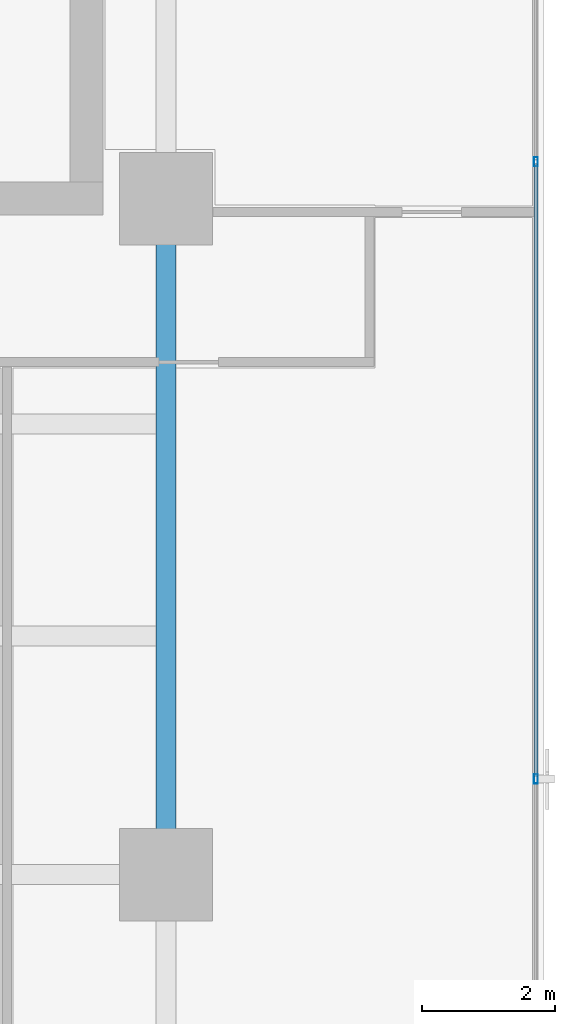
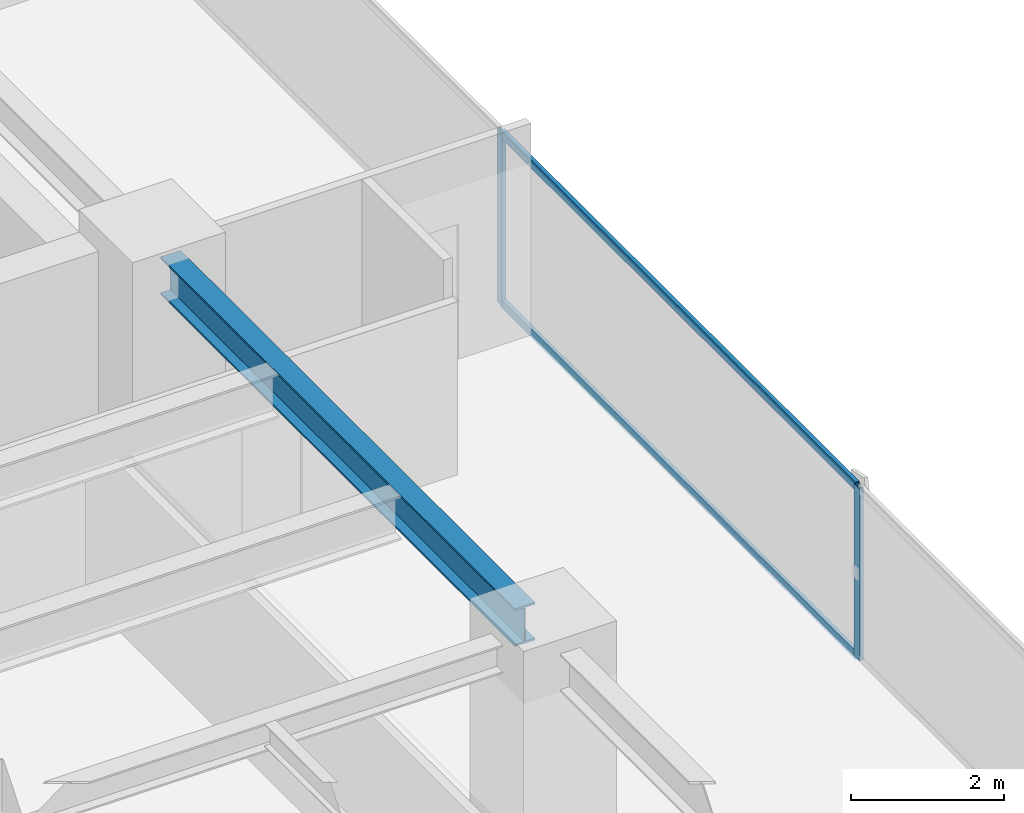
# One storey, part 13 of 26: 4 members, 1 beam, 1 element without a shape of its own.
"""IFC4 building model written with IfcOpenShell, lengths in metres."""

import ifcopenshell
import ifcopenshell.guid

model = None  # the IFC model being written
_history = None  # IfcOwnerHistory: only IFC2X3 demands one
_inside = {}  # id of a spatial element -> (the spatial element, [elements in it])
_under = {}  # id of a project, library or spatial element -> (it, [spatial elements below it])
_declared = {}  # id of a project -> (the project, [libraries it declares])
_typed = {}  # id of a type object -> (the type object, [elements of that type])
_made_of = {}  # id of a material, layer set ... -> (it, [elements and type objects made of it])


def new_model(schema):
    """Start an empty IFC model of exactly this schema.

    Asked for "IFC4X3", IfcOpenShell would pick the latest addendum, in which some entities
    have other attributes; the version numbers below select the first issue.
    IFC2X3 requires an IfcOwnerHistory on every rooted entity: one is made here for all.
    """
    global model, _history
    if schema == "IFC4X3":
        model = ifcopenshell.file(schema_version=(4, 3, 0, 0))
    else:
        model = ifcopenshell.file(schema=schema)
    _inside.clear()
    _under.clear()
    _declared.clear()
    _typed.clear()
    _made_of.clear()
    _history = None
    if model.schema == "IFC2X3":
        org = make("IfcOrganization", Name="unknown")
        user = make(
            "IfcPersonAndOrganization",
            ThePerson=make("IfcPerson", FamilyName="unknown"),
            TheOrganization=org,
        )
        app = make(
            "IfcApplication",
            ApplicationDeveloper=org,
            Version="unknown",
            ApplicationFullName="unknown",
            ApplicationIdentifier="unknown",
        )
        _history = make(
            "IfcOwnerHistory",
            OwningUser=user,
            OwningApplication=app,
            ChangeAction="ADDED",
            CreationDate=0,
        )
    return model


def make(cls, **values):
    """One entity of the class cls with the attributes given. An attribute that is None is left unset."""
    return model.create_entity(
        cls, **{name: value for name, value in values.items() if value is not None}
    )


def rooted(cls, **values):
    """An entity with a GlobalId (a new one), such as an element, a storey or a relation."""
    return make(cls, GlobalId=ifcopenshell.guid.new(), OwnerHistory=_history, **values)


def si_unit(unit_type, name, prefix=None):
    """IfcSIUnit, for example si_unit("LENGTHUNIT", "METRE", prefix="MILLI")."""
    return make("IfcSIUnit", UnitType=unit_type, Prefix=prefix, Name=name)


def assignment(units):
    """IfcUnitAssignment: the units of a project."""
    return None if units is None else make("IfcUnitAssignment", Units=units)


def point(xyz):
    """IfcCartesianPoint."""
    return None if xyz is None else make("IfcCartesianPoint", Coordinates=xyz)


def direction(xyz):
    """IfcDirection."""
    return None if xyz is None else make("IfcDirection", DirectionRatios=xyz)


def frame(location, z_axis=None, x_axis=None):
    """IfcAxis2Placement3D, a coordinate frame: its origin and axes. An axis left out is left unset."""
    return make(
        "IfcAxis2Placement3D",
        Location=point(location),
        Axis=direction(z_axis),
        RefDirection=direction(x_axis),
    )


def frame_2d(location, x_axis=None):
    """IfcAxis2Placement2D, a coordinate frame in the plane: its origin and x axis."""
    return make(
        "IfcAxis2Placement2D", Location=point(location), RefDirection=direction(x_axis)
    )


def origin():
    """The frame at (0, 0, 0) with its axes left unset."""
    return frame((0.0, 0.0, 0.0))


def origin_2d():
    """The frame at (0, 0) in the plane with its x axis left unset."""
    return frame_2d((0.0, 0.0))


def place(relative_to, where):
    """IfcLocalPlacement: puts the frame where relative to a parent placement (None: the world)."""
    return make(
        "IfcLocalPlacement", PlacementRelTo=relative_to, RelativePlacement=where
    )


def context(
    kind, dimensions, precision=None, world=None, true_north=None, identifier=None
):
    """IfcGeometricRepresentationContext, for example the 3D "Model" context."""
    return make(
        "IfcGeometricRepresentationContext",
        ContextIdentifier=identifier,
        ContextType=kind,
        CoordinateSpaceDimension=dimensions,
        Precision=precision,
        WorldCoordinateSystem=world,
        TrueNorth=true_north,
    )


def subcontext(parent, identifier, kind, view, scale=None):
    """IfcGeometricRepresentationSubContext, for example "Body" below "Model"."""
    return make(
        "IfcGeometricRepresentationSubContext",
        ContextIdentifier=identifier,
        ContextType=kind,
        ParentContext=parent,
        TargetScale=scale,
        TargetView=view,
    )


def project(units=None, contexts=None):
    """IfcProject with its units and contexts."""
    return rooted(
        "IfcProject",
        Name="project",
        RepresentationContexts=contexts,
        UnitsInContext=assignment(units),
    )


def spatial(cls, under=None, at=None, **own):
    """A site, building, storey or space (cls), placed at a placement, below another one or the project."""
    s = rooted(cls, ObjectPlacement=at, **own)
    if under is not None:
        _under.setdefault(under.id(), (under, []))[1].append(s)
    return s


def profile(cls, at=None, kind="AREA", **sizes):
    """A parametric profile (cls). Its sizes go by their IFC names, for example OverallWidth=200.0."""
    return make(cls, ProfileType=kind, Position=at, **sizes)


def hollow_rectangle(**sizes):
    """IfcRectangleHollowProfileDef."""
    return profile("IfcRectangleHollowProfileDef", **sizes)


def i_section(**sizes):
    """IfcIShapeProfileDef."""
    return profile("IfcIShapeProfileDef", **sizes)


def extrude(swept, where, along, depth):
    """IfcExtrudedAreaSolid: the profile swept, set in the frame where, extruded along a direction by depth."""
    return make(
        "IfcExtrudedAreaSolid",
        SweptArea=swept,
        Position=where,
        ExtrudedDirection=direction(along),
        Depth=depth,
    )


def shape(context_of_items, identifier, shape_type, items):
    """IfcShapeRepresentation: the items that make up one representation, for example the "Body"."""
    return make(
        "IfcShapeRepresentation",
        ContextOfItems=context_of_items,
        RepresentationIdentifier=identifier,
        RepresentationType=shape_type,
        Items=items,
    )


def source(mapping_origin, context_of_items, identifier, shape_type, items):
    """IfcRepresentationMap: a shape defined once, which mapped items show again and again."""
    return make(
        "IfcRepresentationMap",
        MappingOrigin=mapping_origin,
        MappedRepresentation=shape(context_of_items, identifier, shape_type, items),
    )


def transform(
    local_origin,
    x_axis=None,
    y_axis=None,
    z_axis=None,
    scale=None,
    scale2=None,
    scale3=None,
    uniform=True,
):
    """IfcCartesianTransformationOperator3D, or its non-uniform kind. x_axis, y_axis, z_axis: its Axis1, 2, 3."""
    if uniform:
        return make(
            "IfcCartesianTransformationOperator3D",
            Axis1=direction(x_axis),
            Axis2=direction(y_axis),
            LocalOrigin=point(local_origin),
            Scale=scale,
            Axis3=direction(z_axis),
        )
    return make(
        "IfcCartesianTransformationOperator3DnonUniform",
        Axis1=direction(x_axis),
        Axis2=direction(y_axis),
        LocalOrigin=point(local_origin),
        Scale=scale,
        Axis3=direction(z_axis),
        Scale2=scale2,
        Scale3=scale3,
    )


def mapped(mapping_source, mapping_target):
    """IfcMappedItem: shows the shape of a source again, moved by a transform."""
    return make(
        "IfcMappedItem", MappingSource=mapping_source, MappingTarget=mapping_target
    )


def material(Name=None, Category=None):
    """IfcMaterial."""
    return make("IfcMaterial", Name=Name, Category=Category)


def layer(
    of_material, thickness, ventilated=None, Name=None, Category=None, Priority=None
):
    """IfcMaterialLayer: one layer of a wall or slab, of a material (None: an air gap)."""
    return make(
        "IfcMaterialLayer",
        Material=of_material,
        LayerThickness=thickness,
        IsVentilated=ventilated,
        Name=Name,
        Category=Category,
        Priority=Priority,
    )


def layer_set(layers, Name=None):
    """IfcMaterialLayerSet."""
    return make("IfcMaterialLayerSet", MaterialLayers=layers, LayerSetName=Name)


def material_profile(
    of_material, cross_section, Name=None, Category=None, Priority=None
):
    """IfcMaterialProfile: a cross section and its material."""
    return make(
        "IfcMaterialProfile",
        Name=Name,
        Material=of_material,
        Profile=cross_section,
        Priority=Priority,
        Category=Category,
    )


def profile_set(profiles, Name=None, composite=None):
    """IfcMaterialProfileSet."""
    return make(
        "IfcMaterialProfileSet",
        Name=Name,
        MaterialProfiles=profiles,
        CompositeProfile=composite,
    )


def made_of(thing, what):
    """Note that an element or type object is made of a material, layer set ...; save() writes the relation."""
    if what is not None:
        _made_of.setdefault(what.id(), (what, []))[1].append(thing)
    return thing


def type_object(cls, material=None, **own):
    """A type object (cls), such as IfcWallType, which elements share."""
    return made_of(rooted(cls, **own), material)


def element(
    cls,
    number,
    at=None,
    inside=None,
    cuts=None,
    type_object=None,
    material=None,
    context=None,
    identifier="Body",
    shape_type=None,
    held_by="IfcProductDefinitionShape",
    body=None,
    shapes=None,
    **own,
):
    """One element of the class cls, such as IfcWall. Its Tag is "e" and its number.

    at: its placement. inside: the storey or other place that contains it. cuts: it is an
    opening in that element (IfcRelVoidsElement). A single representation is given by context,
    identifier, shape_type and body (its items); several are given by shapes. held_by: the class
    of the entity that holds the representations. save() writes the other relations.
    """
    e = rooted(cls, Tag="e%d" % number, ObjectPlacement=at, **own)
    if body is not None:
        shapes = [shape(context, identifier, shape_type, body)]
    if shapes is not None:
        e.Representation = make(held_by, Representations=shapes)
    if inside is not None:
        _inside.setdefault(inside.id(), (inside, []))[1].append(e)
    if cuts is not None:
        rooted(
            "IfcRelVoidsElement", RelatingBuildingElement=cuts, RelatedOpeningElement=e
        )
    if type_object is not None:
        _typed.setdefault(type_object.id(), (type_object, []))[1].append(e)
    return made_of(e, material)


def aggregate(whole, parts):
    """IfcRelAggregates: a whole, such as a stair, and the parts it consists of."""
    return rooted("IfcRelAggregates", RelatingObject=whole, RelatedObjects=parts)


def save(model, path):
    """Write the relations noted so far, then the file.

    IfcRelAggregates (storeys below a building ...), IfcRelContainedInSpatialStructure (elements
    in a storey), IfcRelDefinesByType, IfcRelAssociatesMaterial and IfcRelDeclares: one each for
    every whole, place, type object, material and project.
    """
    for whole, parts in _under.values():
        aggregate(whole, parts)
    for where, things in _inside.values():
        rooted(
            "IfcRelContainedInSpatialStructure",
            RelatedElements=things,
            RelatingStructure=where,
        )
    for kind, things in _typed.values():
        rooted("IfcRelDefinesByType", RelatedObjects=things, RelatingType=kind)
    for what, things in _made_of.values():
        rooted("IfcRelAssociatesMaterial", RelatedObjects=things, RelatingMaterial=what)
    for by, libraries in _declared.values():
        rooted("IfcRelDeclares", RelatingContext=by, RelatedDefinitions=libraries)
    model.write(path)


model = new_model("IFC4")

# Units and contexts
model_context = context("Model", 3, precision=1e-05, world=origin(), true_north=direction((0.0, 1.0)))
body_context = subcontext(model_context, "Body", "Model", "MODEL_VIEW")
ifc_project = project(units=[si_unit("LENGTHUNIT", "METRE"), si_unit("AREAUNIT", "SQUARE_METRE"), si_unit("VOLUMEUNIT", "CUBIC_METRE"), si_unit("PLANEANGLEUNIT", "RADIAN"), si_unit("MASSUNIT", "GRAM", prefix="KILO")], contexts=[model_context])

# Site, building, storey
site_placement = place(None, origin())
site = spatial("IfcSite", under=ifc_project, at=site_placement, CompositionType="ELEMENT")
building_placement = place(site_placement, origin())
building = spatial("IfcBuilding", under=site, at=building_placement, Name="Sumidabori Civic Tower", CompositionType="ELEMENT")
storey_placement = place(building_placement, frame((0.0, 0.0, 236.0)))
storey = spatial("IfcBuildingStorey", under=building, at=storey_placement, Name="L61", CompositionType="ELEMENT", Elevation=236.0)

# Beam
ifc_material_1 = material(Name="Steel SN490", Category="steel")
ifc_material_profile_1 = material_profile(ifc_material_1, i_section(OverallWidth=0.300048828125, OverallDepth=0.60009765625, WebThickness=0.015380859375, FlangeThickness=0.030029296875, at=origin_2d()), Name="HE 600 B")
ifc_profile_set_1 = profile_set([ifc_material_profile_1], Name="Steel SN490")
beam_type = type_object("IfcBeamType", Name="BM-GIRD-600", PredefinedType="BEAM", material=ifc_profile_set_1)
shared_shape_1 = source(origin(), body_context, "Body", "SweptSolid", [
    extrude(i_section(OverallWidth=0.300048828125, OverallDepth=0.60009765625, WebThickness=0.015380859375, FlangeThickness=0.030029296875, at=origin_2d()), origin(), (0.0, 0.0, 1.0), 9.239990234375),
])
beam_placement = place(storey_placement, frame((16.800048828125, 0.47998046875, 3.070068359375), z_axis=(0.0, 1.0, 0.0), x_axis=(-1.0, 0.0, 0.0)))
element("IfcBeam", 1, at=beam_placement, inside=storey, type_object=beam_type, Name="Primary Girder L61 GY-16", PredefinedType="BEAM", context=body_context, shape_type="MappedRepresentation", body=[
    mapped(shared_shape_1, transform((0.0, 0.0, 0.0), x_axis=(1.0, 0.0, 0.0), y_axis=(0.0, 1.0, 0.0), z_axis=(0.0, 0.0, 1.0), scale=1.0)),
])

# Curtain wall, members
ifc_material_2 = material(Name="Anodised Bronze Aluminium AW-6063-T6", Category="aluminium")
ifc_layer = layer(ifc_material_2, 0.179931640625, Name="Anodised Bronze Aluminium AW-6063-T6")
ifc_layer_set = layer_set([ifc_layer], Name="Anodised Bronze Aluminium AW-6063-T6")
curtain_wall_type = type_object("IfcCurtainWallType", Name="CW-SYS-5", PredefinedType="NOTDEFINED", material=ifc_layer_set)
curtain_wall_placement = place(storey_placement, origin())
curtain_wall = element("IfcCurtainWall", 2, at=curtain_wall_placement, inside=storey, type_object=curtain_wall_type, Name="Curtain Wall CW:L61:R04", PredefinedType="NOTDEFINED")
ifc_material_profile_2 = material_profile(ifc_material_2, hollow_rectangle(XDim=0.06005859375, YDim=0.139892578125, WallThickness=0.0048828125, at=origin_2d()), Name="ALU MULLION 140x60")
ifc_profile_set_2 = profile_set([ifc_material_profile_2], Name="Anodised Bronze Aluminium AW-6063-T6")
member_type_1 = type_object("IfcMemberType", Name="CW-MUL-140", PredefinedType="MULLION", material=ifc_profile_set_2)
shared_shape_2 = source(origin(), body_context, "Body", "SweptSolid", [
    extrude(hollow_rectangle(XDim=0.06005859375, YDim=0.139892578125, WallThickness=0.0048828125, at=origin_2d()), origin(), (0.0, 0.0, 1.0), 2.75),
])
member_1_placement = place(storey_placement, frame((22.3798828125, 1.443359375, 0.0), z_axis=(0.0, 0.0, 1.0), x_axis=(-1.0, 0.0, 0.0)))
member_1 = element("IfcMember", 3, at=member_1_placement, type_object=member_type_1, Name="CW-5 mullion 2", PredefinedType="MULLION", context=body_context, shape_type="MappedRepresentation", body=[
    mapped(shared_shape_2, transform((0.0, 0.0, 0.0), x_axis=(1.0, 0.0, 0.0), y_axis=(0.0, 1.0, 0.0), z_axis=(0.0, 0.0, 1.0), scale=1.0)),
])
member_2_placement = place(storey_placement, frame((22.3798828125, 10.756591796875, 0.0), z_axis=(0.0, 0.0, 1.0), x_axis=(-1.0, 0.0, 0.0)))
member_2 = element("IfcMember", 4, at=member_2_placement, type_object=member_type_1, Name="CW-5 mullion 3", PredefinedType="MULLION", context=body_context, shape_type="MappedRepresentation", body=[
    mapped(shared_shape_2, transform((0.0, 0.0, 0.0), x_axis=(1.0, 0.0, 0.0), y_axis=(0.0, 1.0, 0.0), z_axis=(0.0, 0.0, 1.0), scale=1.0)),
])
ifc_material_profile_3 = material_profile(ifc_material_2, hollow_rectangle(XDim=0.06005859375, YDim=0.1298828125, WallThickness=0.0048828125, at=origin_2d()), Name="ALU TRANSOM 130x60")
ifc_profile_set_3 = profile_set([ifc_material_profile_3], Name="Anodised Bronze Aluminium AW-6063-T6")
member_type_2 = type_object("IfcMemberType", Name="CW-TRN-130", PredefinedType="USERDEFINED", material=ifc_profile_set_3)
shared_shape_3 = source(origin(), body_context, "Body", "SweptSolid", [
    extrude(hollow_rectangle(XDim=0.06005859375, YDim=0.1298828125, WallThickness=0.0048828125, at=origin_2d()), origin(), (0.0, 0.0, 1.0), 9.253173828125),
])
member_3_placement = place(storey_placement, frame((22.3798828125, 1.473388671875, 0.030029296875), z_axis=(0.0, 1.0, 0.0), x_axis=(-1.0, 0.0, 0.0)))
member_3 = element("IfcMember", 5, at=member_3_placement, type_object=member_type_2, Name="CW-5 transom 2.1", ObjectType="TRANSOM", PredefinedType="USERDEFINED", context=body_context, shape_type="MappedRepresentation", body=[
    mapped(shared_shape_3, transform((0.0, 0.0, 0.0), x_axis=(1.0, 0.0, 0.0), y_axis=(0.0, 1.0, 0.0), z_axis=(0.0, 0.0, 1.0), scale=1.0)),
])
member_4_placement = place(storey_placement, frame((22.3798828125, 1.473388671875, 2.719970703125), z_axis=(0.0, 1.0, 0.0), x_axis=(-1.0, 0.0, 0.0)))
member_4 = element("IfcMember", 6, at=member_4_placement, type_object=member_type_2, Name="CW-5 transom 2.2", ObjectType="TRANSOM", PredefinedType="USERDEFINED", context=body_context, shape_type="MappedRepresentation", body=[
    mapped(shared_shape_3, transform((0.0, 0.0, 0.0), x_axis=(1.0, 0.0, 0.0), y_axis=(0.0, 1.0, 0.0), z_axis=(0.0, 0.0, 1.0), scale=1.0)),
])
aggregate(curtain_wall, [member_1, member_2, member_3, member_4])

save(model, "model.ifc")
